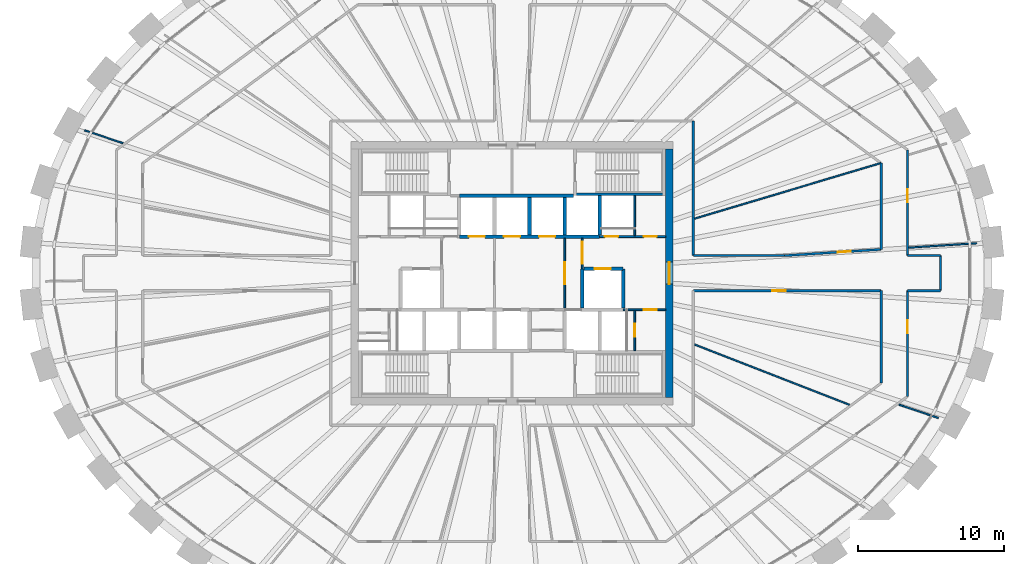
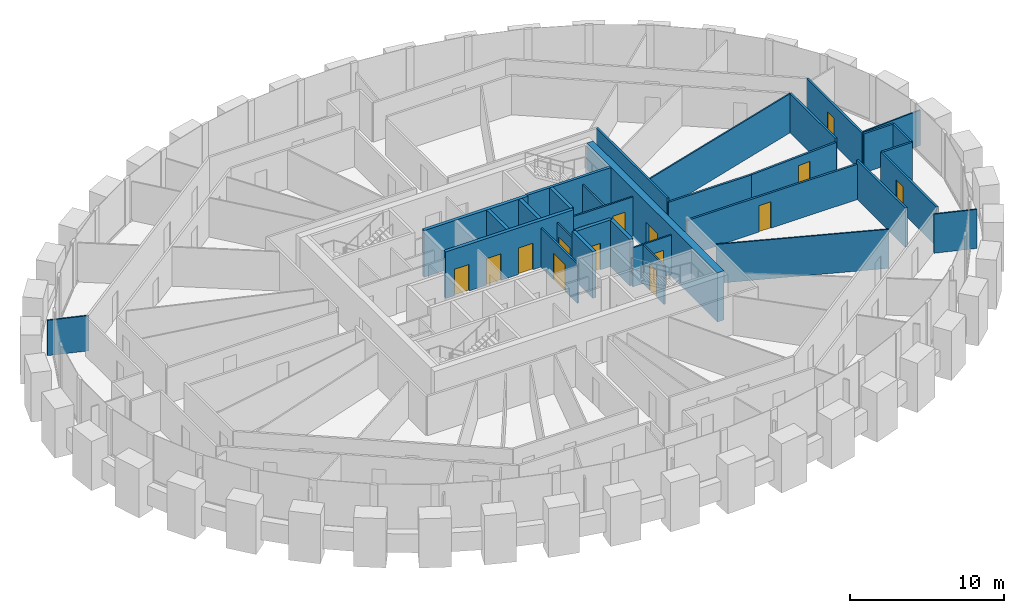
# One storey, part 9 of 12: 32 walls, 15 doors, 15 openings.
"""IFC4 building model written with IfcOpenShell, lengths in metres."""

from ifc_helpers import new_model, si_unit, direction, frame, frame_2d, origin, place, context, subcontext, project, spatial, rectangle, extrude, source, transform, mapped, material, layer, layer_set, type_object, element, fill, save


model = new_model("IFC4")

# Units and contexts
model_context = context("Model", 3, precision=1e-05, world=origin(), true_north=direction((0.0, 1.0)))
body_context = subcontext(model_context, "Body", "Model", "MODEL_VIEW")
ifc_project = project(units=[si_unit("LENGTHUNIT", "METRE"), si_unit("AREAUNIT", "SQUARE_METRE"), si_unit("VOLUMEUNIT", "CUBIC_METRE"), si_unit("PLANEANGLEUNIT", "RADIAN"), si_unit("MASSUNIT", "GRAM", prefix="KILO")], contexts=[model_context])

# Site, building, storey
site_placement = place(None, origin())
site = spatial("IfcSite", under=ifc_project, at=site_placement, CompositionType="ELEMENT")
building_placement = place(site_placement, origin())
building = spatial("IfcBuilding", under=site, at=building_placement, Name="Embergate Tower", CompositionType="ELEMENT")
storey_placement = place(building_placement, frame((0.0, 0.0, 265.60009765625)))
storey = spatial("IfcBuildingStorey", under=building, at=storey_placement, Name="L61", CompositionType="ELEMENT", Elevation=265.60009765625)

# Wall, opening, door
ifc_material_1 = material(Name="Concrete C50", Category="concrete")
ifc_layer_1 = layer(ifc_material_1, 0.5)
ifc_layer_set_1 = layer_set([ifc_layer_1], Name="Concrete C50")
wall_type_1 = type_object("IfcWallType", Name="Core outer wall C50 500", PredefinedType="SHEAR", material=ifc_layer_set_1)
shared_shape_1 = source(origin(), body_context, "Body", "SweptSolid", [
    extrude(rectangle(XDim=17.0, YDim=0.5, at=frame_2d((8.5, 0.0))), origin(), (0.0, 0.0, 1.0), 3.900146484375),
])
wall_1_placement = place(storey_placement, frame((10.75, -8.5, -0.2001953125), z_axis=(0.0, 0.0, 1.0), x_axis=(0.0, 1.0, 0.0)))
wall_1 = element("IfcWall", 1, at=wall_1_placement, inside=storey, type_object=wall_type_1, Name="CW-L61-E", PredefinedType="SHEAR", context=body_context, shape_type="MappedRepresentation", body=[
    mapped(shared_shape_1, transform((0.0, 0.0, 0.0))),
])
shared_shape_2 = source(origin(), body_context, "Body", "SweptSolid", [
    extrude(rectangle(XDim=1.5, YDim=2.10009765625, at=frame_2d((0.75, 1.050048828125))), frame((0.0, 0.260009765625, 0.0), z_axis=(0.0, -1.0, 0.0), x_axis=(1.0, 0.0, 0.0)), (0.0, 0.0, 1.0), 0.52001953125),
])
opening_1_placement = place(wall_1_placement, frame((7.75, 0.0, 0.199951171875)))
opening_1 = element("IfcOpeningElement", 2, at=opening_1_placement, cuts=wall_1, Name="Opening IF-3", PredefinedType="OPENING", context=body_context, shape_type="MappedRepresentation", body=[
    mapped(shared_shape_2, transform((0.0, 0.0, 0.0))),
])
ifc_material_2 = material(Name="Lobby fire door pair 1500")
door_type_1 = type_object("IfcDoorType", Name="Lobby fire door pair 1500", OperationType="DOUBLE_DOOR_SINGLE_SWING", PredefinedType="DOOR", material=ifc_material_2)
shared_shape_3 = source(origin(), body_context, "Body", "SweptSolid", [
    extrude(rectangle(XDim=1.5, YDim=2.10009765625, at=frame_2d((0.75, 1.050048828125))), frame((0.0, 0.02490234375, 0.0), z_axis=(0.0, -1.0, 0.0), x_axis=(1.0, 0.0, 0.0)), (0.0, 0.0, 1.0), 0.050048828125),
])
door_1_placement = place(opening_1_placement, origin())
door_1 = element("IfcDoor", 3, at=door_1_placement, inside=storey, type_object=door_type_1, Name="IF-3 door", OperationType="DOUBLE_DOOR_SINGLE_SWING", OverallHeight=2.10009765625, OverallWidth=1.5, PredefinedType="DOOR", context=body_context, shape_type="MappedRepresentation", body=[
    mapped(shared_shape_3, transform((0.0, 0.0, 0.0))),
])
fill(opening_1, door_1)

# Walls
ifc_layer_2 = layer(ifc_material_1, 0.25)
ifc_layer_set_2 = layer_set([ifc_layer_2], Name="Concrete C50")
wall_type_2 = type_object("IfcWallType", Name="Hoistway wall reinforced concrete 250", PredefinedType="SHEAR", material=ifc_layer_set_2)
shared_shape_4 = source(origin(), body_context, "Body", "SweptSolid", [
    extrude(rectangle(XDim=2.675048828125, YDim=0.25, at=frame_2d((1.33740234375, 0.0))), origin(), (0.0, 0.0, 1.0), 3.699951171875),
])
for number, where, z_axis, x_axis, name in (
    (4, (6.0, 2.625, 0.0), (0.0, 0.0, 1.0), (0.0, 1.0, 0.0), "HW-1 wall"),
    (5, (4.800048828125, -2.375, 0.0), (0.0, 0.0, 1.0), (0.0, 1.0, 0.0), "HW-1 wall"),
):
    element("IfcWall", number, at=place(storey_placement, frame(where, z_axis=z_axis, x_axis=x_axis)), inside=storey, type_object=wall_type_2, Name=name, PredefinedType="SHEAR", context=body_context, shape_type="MappedRepresentation", body=[
        mapped(shared_shape_4, transform((0.0, 0.0, 0.0))),
    ])

# Wall, opening, door
wall_2_placement = place(storey_placement, frame((7.60009765625, 0.300048828125, 0.0), z_axis=(0.0, 0.0, 1.0), x_axis=(-1.0, 0.0, 0.0)))
wall_2 = element("IfcWall", 6, at=wall_2_placement, inside=storey, type_object=wall_type_2, Name="HW-1 wall", PredefinedType="SHEAR", context=body_context, shape_type="MappedRepresentation", body=[
    mapped(shared_shape_4, transform((0.0, 0.0, 0.0))),
])
shared_shape_5 = source(origin(), body_context, "Body", "SweptSolid", [
    extrude(rectangle(XDim=1.10009765625, YDim=2.10009765625, at=frame_2d((0.550048828125, 1.050048828125))), frame((0.0, 0.135009765625, 0.0), z_axis=(0.0, -1.0, 0.0), x_axis=(1.0, 0.0, 0.0)), (0.0, 0.0, 1.0), 0.27001953125),
])
opening_2_placement = place(wall_2_placement, frame((0.85009765625, 0.0, 0.0)))
opening_2 = element("IfcOpeningElement", 7, at=opening_2_placement, cuts=wall_2, Name="Opening LD", PredefinedType="OPENING", context=body_context, shape_type="MappedRepresentation", body=[
    mapped(shared_shape_5, transform((0.0, 0.0, 0.0))),
])
ifc_material_3 = material(Name="Landing door sliding 1100")
door_type_2 = type_object("IfcDoorType", Name="Landing door sliding 1100", OperationType="SLIDING_TO_LEFT", PredefinedType="DOOR", material=ifc_material_3)
shared_shape_6 = source(origin(), body_context, "Body", "SweptSolid", [
    extrude(rectangle(XDim=1.10009765625, YDim=2.10009765625, at=frame_2d((0.550048828125, 1.050048828125))), frame((0.0, 0.02490234375, 0.0), z_axis=(0.0, -1.0, 0.0), x_axis=(1.0, 0.0, 0.0)), (0.0, 0.0, 1.0), 0.050048828125),
])
door_2_placement = place(opening_2_placement, origin())
door_2 = element("IfcDoor", 8, at=door_2_placement, inside=storey, type_object=door_type_2, Name="LD door", OperationType="SLIDING_TO_RIGHT", OverallHeight=2.10009765625, OverallWidth=1.10009765625, PredefinedType="DOOR", context=body_context, shape_type="MappedRepresentation", body=[
    mapped(shared_shape_6, transform((0.0, 0.0, 0.0))),
])
fill(opening_2, door_2)

# Walls
wall_3_placement = place(storey_placement, frame((7.60009765625, -2.375, 0.0), z_axis=(0.0, 0.0, 1.0), x_axis=(0.0, 1.0, 0.0)))
element("IfcWall", 9, at=wall_3_placement, inside=storey, type_object=wall_type_2, Name="HW-1 wall", PredefinedType="SHEAR", context=body_context, shape_type="MappedRepresentation", body=[
    mapped(shared_shape_4, transform((0.0, 0.0, 0.0))),
])
ifc_layer_3 = layer(ifc_material_1, 0.199951171875)
ifc_layer_set_3 = layer_set([ifc_layer_3], Name="Concrete C50")
wall_type_3 = type_object("IfcWallType", Name="Stair enclosure wall reinforced concrete 250", PredefinedType="SHEAR", material=ifc_layer_set_3)
shared_shape_7 = source(origin(), body_context, "Body", "SweptSolid", [
    extrude(rectangle(XDim=6.300048828125, YDim=0.199951171875, at=frame_2d((3.14990234375, 0.0))), origin(), (0.0, 0.0, 1.0), 3.699951171875),
])
wall_4_placement = place(storey_placement, frame((10.5, 5.39990234375, 0.0), z_axis=(0.0, 0.0, 1.0), x_axis=(-1.0, 0.0, 0.0)))
element("IfcWall", 10, at=wall_4_placement, inside=storey, type_object=wall_type_3, Name="SE-1 wall", PredefinedType="SHEAR", context=body_context, shape_type="MappedRepresentation", body=[
    mapped(shared_shape_7, transform((0.0, 0.0, 0.0))),
])
shared_shape_8 = source(origin(), body_context, "Body", "SweptSolid", [
    extrude(rectangle(XDim=2.550048828125, YDim=0.25, at=frame_2d((1.27490234375, 0.0))), origin(), (0.0, 0.0, 1.0), 3.699951171875),
])
for number, where, z_axis, x_axis, name in (
    (11, (1.199951171875, 2.625, 0.0), (0.0, 0.0, 1.0), (0.0, 1.0, 0.0), "HW-1 wall"),
    (12, (3.60009765625, 2.625, 0.0), (0.0, 0.0, 1.0), (0.0, 1.0, 0.0), "HW-1 wall"),
):
    element("IfcWall", number, at=place(storey_placement, frame(where, z_axis=z_axis, x_axis=x_axis)), inside=storey, type_object=wall_type_2, Name=name, PredefinedType="SHEAR", context=body_context, shape_type="MappedRepresentation", body=[
        mapped(shared_shape_8, transform((0.0, 0.0, 0.0))),
    ])
ifc_material_4 = material(Name="Core partition blockwork 120")
ifc_layer_4 = layer(ifc_material_4, 0.1201171875)
ifc_layer_set_4 = layer_set([ifc_layer_4], Name="Core partition blockwork 120")
wall_type_4 = type_object("IfcWallType", Name="Core partition blockwork 120", PredefinedType="PARTITIONING", material=ifc_layer_set_4)
shared_shape_9 = source(origin(), body_context, "Body", "SweptSolid", [
    extrude(rectangle(XDim=2.739990234375, YDim=0.1201171875, at=frame_2d((1.3701171875, 0.0))), origin(), (0.0, 0.0, 1.0), 3.099853515625),
])
wall_5_placement = place(storey_placement, frame((8.39990234375, 2.56005859375, 0.0), z_axis=(0.0, 0.0, 1.0), x_axis=(0.0, 1.0, 0.0)))
element("IfcWall", 13, at=wall_5_placement, inside=storey, type_object=wall_type_4, Name="IP-3 wall", PredefinedType="PARTITIONING", context=body_context, shape_type="MappedRepresentation", body=[
    mapped(shared_shape_9, transform((0.0, 0.0, 0.0))),
])

# Wall, opening, door
wall_6_placement = place(storey_placement, frame((8.39990234375, -5.300048828125, 0.0), z_axis=(0.0, 0.0, 1.0), x_axis=(0.0, 1.0, 0.0)))
wall_6 = element("IfcWall", 14, at=wall_6_placement, inside=storey, type_object=wall_type_4, Name="IP-3 wall", PredefinedType="PARTITIONING", context=body_context, shape_type="MappedRepresentation", body=[
    mapped(shared_shape_9, transform((0.0, 0.0, 0.0))),
])
shared_shape_10 = source(origin(), body_context, "Body", "SweptSolid", [
    extrude(rectangle(XDim=0.89990234375, YDim=2.10009765625, at=frame_2d((0.449951171875, 1.050048828125))), frame((0.0, 0.070068359375, 0.0), z_axis=(0.0, -1.0, 0.0), x_axis=(1.0, 0.0, 0.0)), (0.0, 0.0, 1.0), 0.14013671875),
])
opening_3_placement = place(wall_6_placement, frame((0.949951171875, 0.0, 0.0)))
opening_3 = element("IfcOpeningElement", 15, at=opening_3_placement, cuts=wall_6, Name="Opening ID-1", PredefinedType="OPENING", context=body_context, shape_type="MappedRepresentation", body=[
    mapped(shared_shape_10, transform((0.0, 0.0, 0.0))),
])
ifc_material_5 = material(Name="Interior door 900")
door_type_3 = type_object("IfcDoorType", Name="Interior door 900", OperationType="SINGLE_SWING_LEFT", PredefinedType="DOOR", material=ifc_material_5)
shared_shape_11 = source(origin(), body_context, "Body", "SweptSolid", [
    extrude(rectangle(XDim=0.89990234375, YDim=2.10009765625, at=frame_2d((0.449951171875, 1.050048828125))), frame((0.0, 0.02490234375, 0.0), z_axis=(0.0, -1.0, 0.0), x_axis=(1.0, 0.0, 0.0)), (0.0, 0.0, 1.0), 0.050048828125),
])
door_3_placement = place(opening_3_placement, origin())
door_3 = element("IfcDoor", 16, at=door_3_placement, inside=storey, type_object=door_type_3, Name="ID-1 door", OperationType="SINGLE_SWING_RIGHT", OverallHeight=2.10009765625, OverallWidth=0.89990234375, PredefinedType="DOOR", context=body_context, shape_type="MappedRepresentation", body=[
    mapped(shared_shape_11, transform((0.0, 0.0, 0.0))),
])
fill(opening_3, door_3)

shared_shape_12 = source(origin(), body_context, "Body", "SweptSolid", [
    extrude(rectangle(XDim=4.75, YDim=0.1201171875, at=frame_2d((2.375, 0.0))), origin(), (0.0, 0.0, 1.0), 3.099853515625),
])
wall_7_placement = place(storey_placement, frame((3.60009765625, -2.375, 0.0), z_axis=(0.0, 0.0, 1.0), x_axis=(0.0, 1.0, 0.0)))
wall_7 = element("IfcWall", 17, at=wall_7_placement, inside=storey, type_object=wall_type_4, Name="IP-3 wall", PredefinedType="PARTITIONING", context=body_context, shape_type="MappedRepresentation", body=[
    mapped(shared_shape_12, transform((0.0, 0.0, 0.0))),
])
shared_shape_13 = source(origin(), body_context, "Body", "SweptSolid", [
    extrude(rectangle(XDim=1.5, YDim=2.10009765625, at=frame_2d((0.75, 1.050048828125))), frame((0.0, 0.070068359375, 0.0), z_axis=(0.0, -1.0, 0.0), x_axis=(1.0, 0.0, 0.0)), (0.0, 0.0, 1.0), 0.14013671875),
])
opening_4_placement = place(wall_7_placement, frame((1.625, 0.0, 0.0)))
opening_4 = element("IfcOpeningElement", 18, at=opening_4_placement, cuts=wall_7, Name="Opening IF-3", PredefinedType="OPENING", context=body_context, shape_type="MappedRepresentation", body=[
    mapped(shared_shape_13, transform((0.0, 0.0, 0.0))),
])
door_4_placement = place(opening_4_placement, origin())
door_4 = element("IfcDoor", 19, at=door_4_placement, inside=storey, type_object=door_type_1, Name="IF-3 door", OperationType="DOUBLE_DOOR_SINGLE_SWING", OverallHeight=2.10009765625, OverallWidth=1.5, PredefinedType="DOOR", context=body_context, shape_type="MappedRepresentation", body=[
    mapped(shared_shape_3, transform((0.0, 0.0, 0.0))),
])
fill(opening_4, door_4)

shared_shape_14 = source(origin(), body_context, "Body", "SweptSolid", [
    extrude(rectangle(XDim=2.074951171875, YDim=0.1201171875, at=frame_2d((1.03759765625, 0.0))), origin(), (0.0, 0.0, 1.0), 3.099853515625),
])
wall_8_placement = place(storey_placement, frame((4.800048828125, 0.300048828125, 0.0), z_axis=(0.0, 0.0, 1.0), x_axis=(0.0, 1.0, 0.0)))
wall_8 = element("IfcWall", 20, at=wall_8_placement, inside=storey, type_object=wall_type_4, Name="IP-3 wall", PredefinedType="PARTITIONING", context=body_context, shape_type="MappedRepresentation", body=[
    mapped(shared_shape_14, transform((0.0, 0.0, 0.0))),
])
opening_5_placement = place(wall_8_placement, frame((0.35009765625, 0.0, 0.0)))
opening_5 = element("IfcOpeningElement", 21, at=opening_5_placement, cuts=wall_8, Name="Opening IF-3", PredefinedType="OPENING", context=body_context, shape_type="MappedRepresentation", body=[
    mapped(shared_shape_13, transform((0.0, 0.0, 0.0))),
])
door_5_placement = place(opening_5_placement, origin())
door_5 = element("IfcDoor", 22, at=door_5_placement, inside=storey, type_object=door_type_1, Name="IF-3 door", OperationType="DOUBLE_DOOR_SINGLE_SWING", OverallHeight=2.10009765625, OverallWidth=1.5, PredefinedType="DOOR", context=body_context, shape_type="MappedRepresentation", body=[
    mapped(shared_shape_3, transform((0.0, 0.0, 0.0))),
])
fill(opening_5, door_5)

# Walls
ifc_material_6 = material(Name="Corridor wall dry-lined 150")
ifc_layer_5 = layer(ifc_material_6, 0.14990234375)
ifc_layer_set_5 = layer_set([ifc_layer_5], Name="Corridor wall dry-lined 150")
wall_type_5 = type_object("IfcWallType", Name="Corridor wall dry-lined 150", PredefinedType="PARTITIONING", material=ifc_layer_set_5)
shared_shape_15 = source(origin(), body_context, "Body", "SweptSolid", [
    extrude(rectangle(XDim=2.39990234375, YDim=0.14990234375, at=frame_2d((1.199951171875, 0.0))), origin(), (0.0, 0.0, 1.0), 3.099853515625),
])
wall_9_placement = place(storey_placement, frame((29.300048828125, -1.199951171875, 0.0), z_axis=(0.0, 0.0, 1.0), x_axis=(0.0, 1.0, 0.0)))
element("IfcWall", 23, at=wall_9_placement, inside=storey, type_object=wall_type_5, Name="IP-2 wall", PredefinedType="PARTITIONING", context=body_context, shape_type="MappedRepresentation", body=[
    mapped(shared_shape_15, transform((0.0, 0.0, 0.0))),
])
shared_shape_16 = source(origin(), body_context, "Body", "SweptSolid", [
    extrude(rectangle(XDim=9.199951171875, YDim=0.14990234375, at=frame_2d((4.60009765625, 0.0))), origin(), (0.0, 0.0, 1.0), 3.099853515625),
])
wall_10_placement = place(storey_placement, frame((12.39990234375, 1.199951171875, 0.0), z_axis=(0.0, 0.0, 1.0), x_axis=(0.0, 1.0, 0.0)))
element("IfcWall", 24, at=wall_10_placement, inside=storey, type_object=wall_type_5, Name="IP-2 wall", PredefinedType="PARTITIONING", context=body_context, shape_type="MappedRepresentation", body=[
    mapped(shared_shape_16, transform((0.0, 0.0, 0.0))),
])
shared_shape_17 = source(origin(), body_context, "Body", "SweptSolid", [
    extrude(rectangle(XDim=7.800048828125, YDim=0.25, at=frame_2d((3.89990234375, 0.0))), origin(), (0.0, 0.0, 1.0), 3.699951171875),
])
wall_11_placement = place(storey_placement, frame((4.199951171875, 5.300048828125, 0.0), z_axis=(0.0, 0.0, 1.0), x_axis=(-1.0, 0.0, 0.0)))
element("IfcWall", 25, at=wall_11_placement, inside=storey, type_object=wall_type_2, Name="HW-1 wall", PredefinedType="SHEAR", context=body_context, shape_type="MappedRepresentation", body=[
    mapped(shared_shape_17, transform((0.0, 0.0, 0.0))),
])

# Wall, openings, doors
shared_shape_18 = source(origin(), body_context, "Body", "SweptSolid", [
    extrude(rectangle(XDim=4.5, YDim=0.1201171875, at=frame_2d((2.25, 0.0))), origin(), (0.0, 0.0, 1.0), 3.099853515625),
])
wall_12_placement = place(storey_placement, frame((6.0, 2.5, 0.0), z_axis=(0.0, 0.0, 1.0), x_axis=(1.0, 0.0, 0.0)))
wall_12 = element("IfcWall", 26, at=wall_12_placement, inside=storey, type_object=wall_type_4, Name="IP-3 wall", PredefinedType="PARTITIONING", context=body_context, shape_type="MappedRepresentation", body=[
    mapped(shared_shape_18, transform((0.0, 0.0, 0.0))),
])
opening_6_placement = place(wall_12_placement, frame((0.35009765625, 0.0, 0.0)))
opening_6 = element("IfcOpeningElement", 27, at=opening_6_placement, cuts=wall_12, Name="Opening ID-1", PredefinedType="OPENING", context=body_context, shape_type="MappedRepresentation", body=[
    mapped(shared_shape_10, transform((0.0, 0.0, 0.0))),
])
opening_7_placement = place(wall_12_placement, frame((3.0, 0.0, 0.0)))
opening_7 = element("IfcOpeningElement", 28, at=opening_7_placement, cuts=wall_12, Name="Opening ID-1", PredefinedType="OPENING", context=body_context, shape_type="MappedRepresentation", body=[
    mapped(shared_shape_10, transform((0.0, 0.0, 0.0))),
])
door_6_placement = place(opening_6_placement, origin())
door_6 = element("IfcDoor", 29, at=door_6_placement, inside=storey, type_object=door_type_3, Name="ID-1 door", OperationType="SINGLE_SWING_LEFT", OverallHeight=2.10009765625, OverallWidth=0.89990234375, PredefinedType="DOOR", context=body_context, shape_type="MappedRepresentation", body=[
    mapped(shared_shape_11, transform((0.0, 0.0, 0.0))),
])
fill(opening_6, door_6)
door_7_placement = place(opening_7_placement, origin())
door_7 = element("IfcDoor", 30, at=door_7_placement, inside=storey, type_object=door_type_3, Name="ID-1 door", OperationType="SINGLE_SWING_RIGHT", OverallHeight=2.10009765625, OverallWidth=0.89990234375, PredefinedType="DOOR", context=body_context, shape_type="MappedRepresentation", body=[
    mapped(shared_shape_11, transform((0.0, 0.0, 0.0))),
])
fill(opening_7, door_7)

# Wall, opening, door
shared_shape_19 = source(origin(), body_context, "Body", "SweptSolid", [
    extrude(rectangle(XDim=2.89990234375, YDim=0.1201171875, at=frame_2d((1.449951171875, 0.0))), origin(), (0.0, 0.0, 1.0), 3.099853515625),
])
wall_13_placement = place(storey_placement, frame((10.5, -2.5, 0.0), z_axis=(0.0, 0.0, 1.0), x_axis=(-1.0, 0.0, 0.0)))
wall_13 = element("IfcWall", 31, at=wall_13_placement, inside=storey, type_object=wall_type_4, Name="IP-3 wall", PredefinedType="PARTITIONING", context=body_context, shape_type="MappedRepresentation", body=[
    mapped(shared_shape_19, transform((0.0, 0.0, 0.0))),
])
opening_8_placement = place(wall_13_placement, frame((0.60009765625, 0.0, 0.0)))
opening_8 = element("IfcOpeningElement", 32, at=opening_8_placement, cuts=wall_13, Name="Opening ID-1", PredefinedType="OPENING", context=body_context, shape_type="MappedRepresentation", body=[
    mapped(shared_shape_10, transform((0.0, 0.0, 0.0))),
])
door_8_placement = place(opening_8_placement, origin())
door_8 = element("IfcDoor", 33, at=door_8_placement, inside=storey, type_object=door_type_3, Name="ID-1 door", OperationType="SINGLE_SWING_LEFT", OverallHeight=2.10009765625, OverallWidth=0.89990234375, PredefinedType="DOOR", context=body_context, shape_type="MappedRepresentation", body=[
    mapped(shared_shape_11, transform((0.0, 0.0, 0.0))),
])
fill(opening_8, door_8)

shared_shape_20 = source(origin(), body_context, "Body", "SweptSolid", [
    extrude(rectangle(XDim=7.23193359375, YDim=0.14990234375, at=frame_2d((3.615966796875, 0.0))), origin(), (0.0, 0.0, 1.0), 3.099853515625),
])
wall_14_placement = place(storey_placement, frame((27.0458984375, -8.431884765625, 0.0), z_axis=(0.0, 0.0, 1.0), x_axis=(0.0, 1.0, 0.0)))
wall_14 = element("IfcWall", 34, at=wall_14_placement, inside=storey, type_object=wall_type_5, Name="IP-2 wall", PredefinedType="PARTITIONING", context=body_context, shape_type="MappedRepresentation", body=[
    mapped(shared_shape_20, transform((0.0, 0.0, 0.0))),
])
shared_shape_21 = source(origin(), body_context, "Body", "SweptSolid", [
    extrude(rectangle(XDim=0.89990234375, YDim=2.10009765625, at=frame_2d((0.449951171875, 1.050048828125))), frame((0.0, 0.0849609375, 0.0), z_axis=(0.0, -1.0, 0.0), x_axis=(1.0, 0.0, 0.0)), (0.0, 0.0, 1.0), 0.169921875),
])
opening_9_placement = place(wall_14_placement, frame((4.312255859375, 0.0, 0.0)))
opening_9 = element("IfcOpeningElement", 35, at=opening_9_placement, cuts=wall_14, Name="Opening IF-1c", PredefinedType="OPENING", context=body_context, shape_type="MappedRepresentation", body=[
    mapped(shared_shape_21, transform((0.0, 0.0, 0.0))),
])
ifc_material_7 = material(Name="Escape fire door 900")
door_type_4 = type_object("IfcDoorType", Name="Escape fire door 900", OperationType="SINGLE_SWING_LEFT", PredefinedType="DOOR", material=ifc_material_7)
door_9_placement = place(opening_9_placement, origin())
door_9 = element("IfcDoor", 36, at=door_9_placement, inside=storey, type_object=door_type_4, Name="IF-1 door", OperationType="SINGLE_SWING_RIGHT", OverallHeight=2.10009765625, OverallWidth=0.89990234375, PredefinedType="DOOR", context=body_context, shape_type="MappedRepresentation", body=[
    mapped(shared_shape_11, transform((0.0, 0.0, 0.0))),
])
fill(opening_9, door_9)

wall_15_placement = place(storey_placement, frame((27.0458984375, 1.199951171875, 0.0), z_axis=(0.0, 0.0, 1.0), x_axis=(0.0, 1.0, 0.0)))
wall_15 = element("IfcWall", 37, at=wall_15_placement, inside=storey, type_object=wall_type_5, Name="IP-2 wall", PredefinedType="PARTITIONING", context=body_context, shape_type="MappedRepresentation", body=[
    mapped(shared_shape_20, transform((0.0, 0.0, 0.0))),
])
opening_10_placement = place(wall_15_placement, frame((3.64501953125, 0.0, 0.0)))
opening_10 = element("IfcOpeningElement", 38, at=opening_10_placement, cuts=wall_15, Name="Opening IF-1c", PredefinedType="OPENING", context=body_context, shape_type="MappedRepresentation", body=[
    mapped(shared_shape_21, transform((0.0, 0.0, 0.0))),
])
door_10_placement = place(opening_10_placement, origin())
door_10 = element("IfcDoor", 39, at=door_10_placement, inside=storey, type_object=door_type_4, Name="IF-1 door", OperationType="SINGLE_SWING_LEFT", OverallHeight=2.10009765625, OverallWidth=0.89990234375, PredefinedType="DOOR", context=body_context, shape_type="MappedRepresentation", body=[
    mapped(shared_shape_11, transform((0.0, 0.0, 0.0))),
])
fill(opening_10, door_10)

# Walls
shared_shape_22 = source(origin(), body_context, "Body", "SweptSolid", [
    extrude(rectangle(XDim=2.254150390625, YDim=0.14990234375, at=frame_2d((1.126953125, 0.0))), origin(), (0.0, 0.0, 1.0), 3.099853515625),
])
for number, where, z_axis, x_axis, name in (
    (40, (27.0458984375, -1.199951171875, 0.0), (0.0, 0.0, 1.0), (1.0, 0.0, 0.0), "IP-2 wall"),
    (41, (29.300048828125, 1.199951171875, 0.0), (0.0, 0.0, 1.0), (-1.0, 0.0, 0.0), "IP-2 wall"),
):
    element("IfcWall", number, at=place(storey_placement, frame(where, z_axis=z_axis, x_axis=x_axis)), inside=storey, type_object=wall_type_5, Name=name, PredefinedType="PARTITIONING", context=body_context, shape_type="MappedRepresentation", body=[
        mapped(shared_shape_22, transform((0.0, 0.0, 0.0))),
    ])
shared_shape_23 = source(origin(), body_context, "Body", "SweptSolid", [
    extrude(rectangle(XDim=6.322998046875, YDim=0.14990234375, at=frame_2d((3.16162109375, 0.0))), origin(), (0.0, 0.0, 1.0), 3.099853515625),
])
wall_16_placement = place(storey_placement, frame((25.24609375, -7.52294921875, 0.0), z_axis=(0.0, 0.0, 1.0), x_axis=(0.0, 1.0, 0.0)))
element("IfcWall", 42, at=wall_16_placement, inside=storey, type_object=wall_type_5, Name="IP-2 wall", PredefinedType="PARTITIONING", context=body_context, shape_type="MappedRepresentation", body=[
    mapped(shared_shape_23, transform((0.0, 0.0, 0.0))),
])
shared_shape_24 = source(origin(), body_context, "Body", "SweptSolid", [
    extrude(rectangle(XDim=5.89697265625, YDim=0.14990234375, at=frame_2d((2.948486328125, 0.0))), origin(), (0.0, 0.0, 1.0), 3.099853515625),
])
wall_17_placement = place(storey_placement, frame((25.24609375, 7.52294921875, 0.0), z_axis=(0.0, 0.0, 1.0), x_axis=(0.0, -1.0, 0.0)))
element("IfcWall", 43, at=wall_17_placement, inside=storey, type_object=wall_type_5, Name="IP-2 wall", PredefinedType="PARTITIONING", context=body_context, shape_type="MappedRepresentation", body=[
    mapped(shared_shape_24, transform((0.0, 0.0, 0.0))),
])
ifc_material_8 = material(Name="Partition dry-lined 100")
ifc_layer_6 = layer(ifc_material_8, 0.10009765625)
ifc_layer_set_6 = layer_set([ifc_layer_6], Name="Partition dry-lined 100")
wall_type_6 = type_object("IfcWallType", Name="Partition dry-lined 100", PredefinedType="PARTITIONING", material=ifc_layer_set_6)
shared_shape_25 = source(origin(), body_context, "Body", "SweptSolid", [
    extrude(rectangle(XDim=2.842041015625, YDim=0.10009765625, at=frame_2d((1.4208984375, 0.0))), origin(), (0.0, 0.0, 1.0), 3.099853515625),
])
wall_18_placement = place(storey_placement, frame((26.4609375, -8.991943359375, 0.0), z_axis=(0.0, 0.0, 1.0), x_axis=(0.946872705017, -0.321608582744, 0.0)))
element("IfcWall", 44, at=wall_18_placement, inside=storey, type_object=wall_type_6, Name="IP-1 wall", PredefinedType="PARTITIONING", context=body_context, shape_type="MappedRepresentation", body=[
    mapped(shared_shape_25, transform((0.0, 0.0, 0.0))),
])
shared_shape_26 = source(origin(), body_context, "Body", "SweptSolid", [
    extrude(rectangle(XDim=11.349609375, YDim=0.10009765625, at=frame_2d((5.6748046875, 0.0))), origin(), (0.0, 0.0, 1.0), 3.099853515625),
])
wall_19_placement = place(storey_placement, frame((12.492919921875, -4.8759765625, 0.0), z_axis=(0.0, 0.0, 1.0), x_axis=(0.931579751697, -0.363537021813, 0.0)))
element("IfcWall", 45, at=wall_19_placement, inside=storey, type_object=wall_type_6, Name="IP-1 wall", PredefinedType="PARTITIONING", context=body_context, shape_type="MappedRepresentation", body=[
    mapped(shared_shape_26, transform((0.0, 0.0, 0.0))),
])
shared_shape_27 = source(origin(), body_context, "Body", "SweptSolid", [
    extrude(rectangle(XDim=13.298583984375, YDim=0.10009765625, at=frame_2d((6.6494140625, 0.0))), origin(), (0.0, 0.0, 1.0), 3.099853515625),
])
wall_20_placement = place(storey_placement, frame((12.489013671875, 3.72900390625, 0.0), z_axis=(0.0, 0.0, 1.0), x_axis=(0.958216985654, 0.286042319254, 0.0)))
element("IfcWall", 46, at=wall_20_placement, inside=storey, type_object=wall_type_6, Name="IP-1 wall", PredefinedType="PARTITIONING", context=body_context, shape_type="MappedRepresentation", body=[
    mapped(shared_shape_27, transform((0.0, 0.0, 0.0))),
])

# Wall, openings, doors
shared_shape_28 = source(origin(), body_context, "Body", "SweptSolid", [
    extrude(rectangle(XDim=9.60009765625, YDim=0.25, at=frame_2d((4.800048828125, 0.0))), origin(), (0.0, 0.0, 1.0), 3.699951171875),
])
wall_21_placement = place(storey_placement, frame((-3.60009765625, 2.5, 0.0), z_axis=(0.0, 0.0, 1.0), x_axis=(1.0, 0.0, 0.0)))
wall_21 = element("IfcWall", 47, at=wall_21_placement, inside=storey, type_object=wall_type_2, Name="HW-1 wall", PredefinedType="SHEAR", context=body_context, shape_type="MappedRepresentation", body=[
    mapped(shared_shape_28, transform((0.0, 0.0, 0.0))),
])
opening_11_placement = place(wall_21_placement, frame((0.64990234375, 0.0, 0.0)))
opening_11 = element("IfcOpeningElement", 48, at=opening_11_placement, cuts=wall_21, Name="Opening LD", PredefinedType="OPENING", context=body_context, shape_type="MappedRepresentation", body=[
    mapped(shared_shape_5, transform((0.0, 0.0, 0.0))),
])
opening_12_placement = place(wall_21_placement, frame((3.050048828125, 0.0, 0.0)))
opening_12 = element("IfcOpeningElement", 49, at=opening_12_placement, cuts=wall_21, Name="Opening LD", PredefinedType="OPENING", context=body_context, shape_type="MappedRepresentation", body=[
    mapped(shared_shape_5, transform((0.0, 0.0, 0.0))),
])
opening_13_placement = place(wall_21_placement, frame((5.449951171875, 0.0, 0.0)))
opening_13 = element("IfcOpeningElement", 50, at=opening_13_placement, cuts=wall_21, Name="Opening LD", PredefinedType="OPENING", context=body_context, shape_type="MappedRepresentation", body=[
    mapped(shared_shape_5, transform((0.0, 0.0, 0.0))),
])
door_11_placement = place(opening_11_placement, origin())
door_11 = element("IfcDoor", 51, at=door_11_placement, inside=storey, type_object=door_type_2, Name="LD door", OperationType="SLIDING_TO_RIGHT", OverallHeight=2.10009765625, OverallWidth=1.10009765625, PredefinedType="DOOR", context=body_context, shape_type="MappedRepresentation", body=[
    mapped(shared_shape_6, transform((0.0, 0.0, 0.0))),
])
fill(opening_11, door_11)
door_12_placement = place(opening_12_placement, origin())
door_12 = element("IfcDoor", 52, at=door_12_placement, inside=storey, type_object=door_type_2, Name="LD door", OperationType="SLIDING_TO_LEFT", OverallHeight=2.10009765625, OverallWidth=1.10009765625, PredefinedType="DOOR", context=body_context, shape_type="MappedRepresentation", body=[
    mapped(shared_shape_6, transform((0.0, 0.0, 0.0))),
])
fill(opening_12, door_12)
door_13_placement = place(opening_13_placement, origin())
door_13 = element("IfcDoor", 53, at=door_13_placement, inside=storey, type_object=door_type_2, Name="LD door", OperationType="SLIDING_TO_LEFT", OverallHeight=2.10009765625, OverallWidth=1.10009765625, PredefinedType="DOOR", context=body_context, shape_type="MappedRepresentation", body=[
    mapped(shared_shape_6, transform((0.0, 0.0, 0.0))),
])
fill(opening_13, door_13)

# Wall, opening, door
shared_shape_29 = source(origin(), body_context, "Body", "SweptSolid", [
    extrude(rectangle(XDim=12.84619140625, YDim=0.14990234375, at=frame_2d((6.423095703125, 0.0))), origin(), (0.0, 0.0, 1.0), 2.7998046875),
])
wall_22_placement = place(storey_placement, frame((25.24609375, -1.199951171875, 0.0), z_axis=(0.0, 0.0, 1.0), x_axis=(-1.0, 0.0, 0.0)))
wall_22 = element("IfcWall", 54, at=wall_22_placement, inside=storey, type_object=wall_type_5, Name="IP-2 wall", PredefinedType="PARTITIONING", context=body_context, shape_type="MappedRepresentation", body=[
    mapped(shared_shape_29, transform((0.0, 0.0, 0.0))),
])
opening_14_placement = place(wall_22_placement, frame((6.539794921875, 0.0, 0.0)))
opening_14 = element("IfcOpeningElement", 55, at=opening_14_placement, cuts=wall_22, Name="Opening IF-1c", PredefinedType="OPENING", context=body_context, shape_type="MappedRepresentation", body=[
    mapped(shared_shape_21, transform((0.0, 0.0, 0.0))),
])
door_14_placement = place(opening_14_placement, origin())
door_14 = element("IfcDoor", 56, at=door_14_placement, inside=storey, type_object=door_type_4, Name="IF-1 door", OperationType="SINGLE_SWING_LEFT", OverallHeight=2.10009765625, OverallWidth=0.89990234375, PredefinedType="DOOR", context=body_context, shape_type="MappedRepresentation", body=[
    mapped(shared_shape_11, transform((0.0, 0.0, 0.0))),
])
fill(opening_14, door_14)

shared_shape_30 = source(origin(), body_context, "Body", "SweptSolid", [
    extrude(rectangle(XDim=6.6328125, YDim=0.14990234375, at=frame_2d((3.31640625, 0.0))), origin(), (0.0, 0.0, 1.0), 2.7998046875),
])
wall_23_placement = place(storey_placement, frame((25.24609375, 1.6259765625, 0.0), z_axis=(0.0, 0.0, 1.0), x_axis=(-0.997935138173, -0.064229743881, 0.0)))
wall_23 = element("IfcWall", 57, at=wall_23_placement, inside=storey, type_object=wall_type_5, Name="IP-2 wall", PredefinedType="PARTITIONING", context=body_context, shape_type="MappedRepresentation", body=[
    mapped(shared_shape_30, transform((0.0, 0.0, 0.0))),
])
opening_15_placement = place(wall_23_placement, frame((2.075927734375, 0.0, 0.0)))
opening_15 = element("IfcOpeningElement", 58, at=opening_15_placement, cuts=wall_23, Name="Opening IF-1c", PredefinedType="OPENING", context=body_context, shape_type="MappedRepresentation", body=[
    mapped(shared_shape_21, transform((0.0, 0.0, 0.0))),
])
door_15_placement = place(opening_15_placement, origin())
door_15 = element("IfcDoor", 59, at=door_15_placement, inside=storey, type_object=door_type_4, Name="IF-1 door", OperationType="SINGLE_SWING_RIGHT", OverallHeight=2.10009765625, OverallWidth=0.89990234375, PredefinedType="DOOR", context=body_context, shape_type="MappedRepresentation", body=[
    mapped(shared_shape_11, transform((0.0, 0.0, 0.0))),
])
fill(opening_15, door_15)

# Walls
shared_shape_31 = source(origin(), body_context, "Body", "SweptSolid", [
    extrude(rectangle(XDim=6.22705078125, YDim=0.14990234375, at=frame_2d((3.113525390625, 0.0))), origin(), (0.0, 0.0, 1.0), 2.7998046875),
])
wall_24_placement = place(storey_placement, frame((18.626953125, 1.199951171875, 0.0), z_axis=(0.0, 0.0, 1.0), x_axis=(-1.0, 0.0, 0.0)))
element("IfcWall", 60, at=wall_24_placement, inside=storey, type_object=wall_type_5, Name="IP-2 wall", PredefinedType="PARTITIONING", context=body_context, shape_type="MappedRepresentation", body=[
    mapped(shared_shape_31, transform((0.0, 0.0, 0.0))),
])
shared_shape_32 = source(origin(), body_context, "Body", "SweptSolid", [
    extrude(rectangle(XDim=2.776123046875, YDim=0.10009765625, at=frame_2d((1.38818359375, 0.0))), origin(), (0.0, 0.0, 1.0), 2.7998046875),
])
wall_25_placement = place(storey_placement, frame((-26.59912109375, 8.889892578125, 0.0), z_axis=(0.0, 0.0, 1.0), x_axis=(-0.948410312692, 0.317045546852, 0.0)))
element("IfcWall", 61, at=wall_25_placement, inside=storey, type_object=wall_type_6, Name="IP-1 wall", PredefinedType="PARTITIONING", context=body_context, shape_type="MappedRepresentation", body=[
    mapped(shared_shape_32, transform((0.0, 0.0, 0.0))),
])
shared_shape_33 = source(origin(), body_context, "Body", "SweptSolid", [
    extrude(rectangle(XDim=4.674560546875, YDim=0.10009765625, at=frame_2d((2.33740234375, 0.0))), origin(), (0.0, 0.0, 1.0), 2.7998046875),
])
wall_26_placement = place(storey_placement, frame((31.785888671875, 2.048095703125, 0.0), z_axis=(0.0, 0.0, 1.0), x_axis=(-0.997924334649, -0.064397378166, 0.0)))
element("IfcWall", 62, at=wall_26_placement, inside=storey, type_object=wall_type_6, Name="IP-1 wall", PredefinedType="PARTITIONING", context=body_context, shape_type="MappedRepresentation", body=[
    mapped(shared_shape_33, transform((0.0, 0.0, 0.0))),
])

save(model, "model.ifc")
